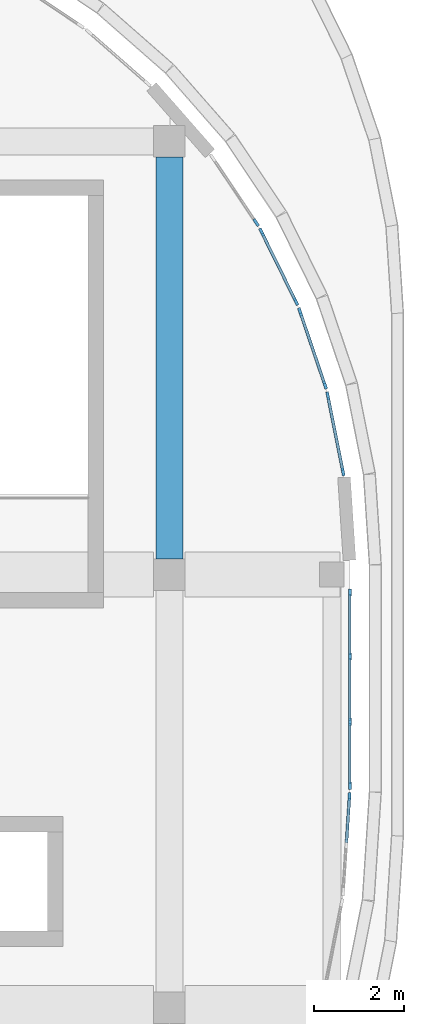
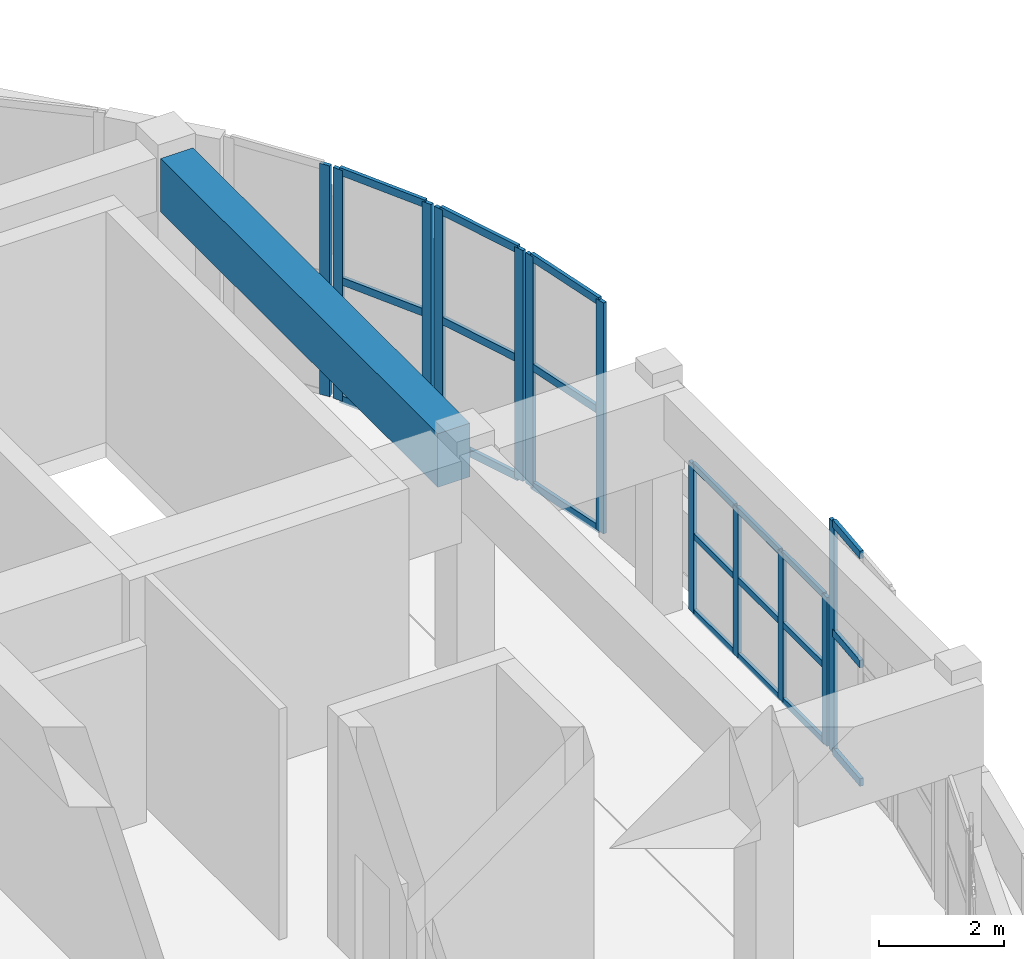
# One storey, part 9 of 23: 33 members, 1 beam, 6 elements without a shape of their own.
"""IFC4 building model written with IfcOpenShell, lengths in metres."""

from ifc_helpers import new_model, si_unit, direction, frame, origin, origin_2d, place, context, subcontext, project, spatial, rectangle, extrude, material, layer, layer_set, material_profile, profile_set, type_object, element, aggregate, save


model = new_model("IFC4")

# Units and contexts
model_context = context("Model", 3, precision=1e-05, world=origin(), true_north=direction((0.0, 1.0)))
body_context = subcontext(model_context, "Body", "Model", "MODEL_VIEW")
ifc_project = project(units=[si_unit("LENGTHUNIT", "METRE"), si_unit("AREAUNIT", "SQUARE_METRE"), si_unit("VOLUMEUNIT", "CUBIC_METRE"), si_unit("PLANEANGLEUNIT", "RADIAN"), si_unit("MASSUNIT", "GRAM", prefix="KILO")], contexts=[model_context])

# Site, building, storey
site_placement = place(None, origin())
site = spatial("IfcSite", under=ifc_project, at=site_placement, CompositionType="ELEMENT")
building_placement = place(site_placement, origin())
building = spatial("IfcBuilding", under=site, at=building_placement, Name="Cendralis Terraced Arcade", CompositionType="ELEMENT")
storey_placement = place(building_placement, frame((0.0, 0.0, 29.39990234375)))
storey = spatial("IfcBuildingStorey", under=building, at=storey_placement, Name="L06", CompositionType="ELEMENT", Elevation=29.39990234375)

# Beam
ifc_material_1 = material(Name="Concrete f'c 35 MPa", Category="concrete")
ifc_material_profile_1 = material_profile(ifc_material_1, rectangle(XDim=0.60009765625, YDim=1.050048828125, at=origin_2d()), Name="RC-BM-600x1050", Category="LoadBearing")
ifc_profile_set_1 = profile_set([ifc_material_profile_1], Name="Concrete f'c 35 MPa")
beam_type = type_object("IfcBeamType", Name="BM-600x1050", PredefinedType="JOIST", material=ifc_profile_set_1)
beam_placement = place(storey_placement, frame((57.60009765625, 29.14990234375, 4.0), z_axis=(0.0, 1.0, 0.0), x_axis=(-1.0, 0.0, 0.0)))
element("IfcBeam", 1, at=beam_placement, inside=storey, type_object=beam_type, Name="Reinforced Concrete Frame Beam BM-Y-RF-7-D_E", PredefinedType="JOIST", context=body_context, shape_type="SweptSolid", body=[
    extrude(rectangle(XDim=0.60009765625, YDim=1.050048828125, at=origin_2d()), origin(), (0.0, 0.0, 1.0), 8.900146484375),
])

# Curtain wall, member
ifc_material_2 = material(Name="Anodised aluminium EN AW-6063 T6", Category="aluminium")
ifc_layer_1 = layer(ifc_material_2, 0.179931640625, Name="CW-UNIT-A")
ifc_layer_set_1 = layer_set([ifc_layer_1], Name="Anodised aluminium EN AW-6063 T6")
curtain_wall_type_1 = type_object("IfcCurtainWallType", Name="CW-UNIT-A", PredefinedType="USERDEFINED", material=ifc_layer_set_1)
curtain_wall_1_placement = place(storey_placement, origin())
curtain_wall_1 = element("IfcCurtainWall", 2, at=curtain_wall_1_placement, inside=storey, type_object=curtain_wall_type_1, Name="Exterior Unitised Facade CW-L06-0465", ObjectType="UNITISED FACADE", PredefinedType="USERDEFINED")
ifc_material_profile_2 = material_profile(ifc_material_2, rectangle(XDim=0.06494140625, YDim=0.179931640625, at=origin_2d()), Name="ALU-MUL-65x180")
ifc_profile_set_2 = profile_set([ifc_material_profile_2], Name="Anodised aluminium EN AW-6063 T6")
member_type_1 = type_object("IfcMemberType", Name="CW-UNIT-A-MUL", PredefinedType="MULLION", material=ifc_profile_set_2)
member_1_placement = place(storey_placement, frame((59.5224609375, 36.601806640625, 0.0), z_axis=(0.0, 0.0, 1.0), x_axis=(0.831471454125, 0.555567476528, 0.0)))
member_1 = element("IfcMember", 3, at=member_1_placement, type_object=member_type_1, Name="CW-U1 mullion 2", PredefinedType="MULLION", context=body_context, shape_type="SweptSolid", body=[
    extrude(rectangle(XDim=0.06494140625, YDim=0.179931640625, at=origin_2d()), origin(), (0.0, 0.0, 1.0), 4.525146484375),
])
aggregate(curtain_wall_1, [member_1])

# Curtain wall, members
curtain_wall_2_placement = place(storey_placement, origin())
curtain_wall_2 = element("IfcCurtainWall", 4, at=curtain_wall_2_placement, inside=storey, type_object=curtain_wall_type_1, Name="Exterior Unitised Facade CW-L06-0466", ObjectType="UNITISED FACADE", PredefinedType="USERDEFINED")
member_2_placement = place(storey_placement, frame((59.64453125, 36.39013671875, 0.0), z_axis=(0.0, 0.0, 1.0), x_axis=(0.896871480419, 0.442291247495, 0.0)))
member_2 = element("IfcMember", 5, at=member_2_placement, type_object=member_type_1, Name="CW-U1 mullion 1", PredefinedType="MULLION", context=body_context, shape_type="SweptSolid", body=[
    extrude(rectangle(XDim=0.06494140625, YDim=0.179931640625, at=origin_2d()), origin(), (0.0, 0.0, 1.0), 4.525146484375),
])
member_3_placement = place(storey_placement, frame((60.404052734375, 34.85009765625, 0.0), z_axis=(0.0, 0.0, 1.0), x_axis=(0.896871480419, 0.442291247495, 0.0)))
member_3 = element("IfcMember", 6, at=member_3_placement, type_object=member_type_1, Name="CW-U1 mullion 2", PredefinedType="MULLION", context=body_context, shape_type="SweptSolid", body=[
    extrude(rectangle(XDim=0.06494140625, YDim=0.179931640625, at=origin_2d()), origin(), (0.0, 0.0, 1.0), 4.525146484375),
])

curtain_wall_3_placement = place(storey_placement, origin())
curtain_wall_3 = element("IfcCurtainWall", 7, at=curtain_wall_3_placement, inside=storey, type_object=curtain_wall_type_1, Name="Exterior Unitised Facade CW-L06-0467", ObjectType="UNITISED FACADE", PredefinedType="USERDEFINED")
member_4_placement = place(storey_placement, frame((60.49755859375, 34.624267578125, 0.0), z_axis=(0.0, 0.0, 1.0), x_axis=(0.946923811316, 0.321458077458, 0.0)))
member_4 = element("IfcMember", 8, at=member_4_placement, type_object=member_type_1, Name="CW-U1 mullion 1", PredefinedType="MULLION", context=body_context, shape_type="SweptSolid", body=[
    extrude(rectangle(XDim=0.06494140625, YDim=0.179931640625, at=origin_2d()), origin(), (0.0, 0.0, 1.0), 4.525146484375),
])
member_5_placement = place(storey_placement, frame((61.049560546875, 32.998291015625, 0.0), z_axis=(0.0, 0.0, 1.0), x_axis=(0.946923811316, 0.321458077458, 0.0)))
member_5 = element("IfcMember", 9, at=member_5_placement, type_object=member_type_1, Name="CW-U1 mullion 2", PredefinedType="MULLION", context=body_context, shape_type="SweptSolid", body=[
    extrude(rectangle(XDim=0.06494140625, YDim=0.179931640625, at=origin_2d()), origin(), (0.0, 0.0, 1.0), 4.525146484375),
])

curtain_wall_4_placement = place(storey_placement, origin())
curtain_wall_4 = element("IfcCurtainWall", 10, at=curtain_wall_4_placement, inside=storey, type_object=curtain_wall_type_1, Name="Exterior Unitised Facade CW-L06-0468", ObjectType="UNITISED FACADE", PredefinedType="USERDEFINED")
member_6_placement = place(storey_placement, frame((61.11279296875, 32.76220703125, 0.0), z_axis=(0.0, 0.0, 1.0), x_axis=(0.980791618721, 0.195058454434, 0.0)))
member_6 = element("IfcMember", 11, at=member_6_placement, type_object=member_type_1, Name="CW-U1 mullion 1", PredefinedType="MULLION", context=body_context, shape_type="SweptSolid", body=[
    extrude(rectangle(XDim=0.06494140625, YDim=0.179931640625, at=origin_2d()), origin(), (0.0, 0.0, 1.0), 4.525146484375),
])
member_7_placement = place(storey_placement, frame((61.44775390625, 31.078125, 0.0), z_axis=(0.0, 0.0, 1.0), x_axis=(0.980791618721, 0.195058454434, 0.0)))
member_7 = element("IfcMember", 12, at=member_7_placement, type_object=member_type_1, Name="CW-U1 mullion 2", PredefinedType="MULLION", context=body_context, shape_type="SweptSolid", body=[
    extrude(rectangle(XDim=0.06494140625, YDim=0.179931640625, at=origin_2d()), origin(), (0.0, 0.0, 1.0), 4.525146484375),
])

# Curtain wall, member
curtain_wall_5_placement = place(storey_placement, origin())
curtain_wall_5 = element("IfcCurtainWall", 13, at=curtain_wall_5_placement, inside=storey, type_object=curtain_wall_type_1, Name="Exterior Unitised Facade CW-L06-0470", ObjectType="UNITISED FACADE", PredefinedType="USERDEFINED")
member_8_placement = place(storey_placement, frame((61.592041015625, 23.877685546875, 0.0), z_axis=(0.0, 0.0, 1.0), x_axis=(0.99785960626, -0.065392707503, 0.0)))
member_8 = element("IfcMember", 14, at=member_8_placement, type_object=member_type_1, Name="CW-U1 mullion 1", PredefinedType="MULLION", context=body_context, shape_type="SweptSolid", body=[
    extrude(rectangle(XDim=0.06494140625, YDim=0.179931640625, at=origin_2d()), origin(), (0.0, 0.0, 1.0), 4.525146484375),
])

# Member
ifc_material_profile_3 = material_profile(ifc_material_2, rectangle(XDim=0.06494140625, YDim=0.14990234375, at=origin_2d()), Name="ALU-TRN-65x150")
ifc_profile_set_3 = profile_set([ifc_material_profile_3], Name="Anodised aluminium EN AW-6063 T6")
member_type_2 = type_object("IfcMemberType", Name="CW-UNIT-A-TRN", PredefinedType="USERDEFINED", material=ifc_profile_set_3)
member_9_placement = place(storey_placement, frame((59.658935546875, 36.361083984375, 0.03271484375), z_axis=(0.442300625853, -0.896866855431, 0.0), x_axis=(0.896866855431, 0.442300625853, 0.0)))
member_9 = element("IfcMember", 15, at=member_9_placement, type_object=member_type_2, Name="CW-U1 transom 1.1", ObjectType="TRANSOM", PredefinedType="USERDEFINED", context=body_context, shape_type="SweptSolid", body=[
    extrude(rectangle(XDim=0.06494140625, YDim=0.14990234375, at=origin_2d()), origin(), (0.0, 0.0, 1.0), 1.652099609375),
])

member_10_placement = place(storey_placement, frame((59.658935546875, 36.361083984375, 2.35302734375), z_axis=(0.442300625853, -0.896866855431, 0.0), x_axis=(0.896866855431, 0.442300625853, 0.0)))
member_10 = element("IfcMember", 16, at=member_10_placement, type_object=member_type_2, Name="CW-U1 transom 1.2", ObjectType="TRANSOM", PredefinedType="USERDEFINED", context=body_context, shape_type="SweptSolid", body=[
    extrude(rectangle(XDim=0.06494140625, YDim=0.14990234375, at=origin_2d()), origin(), (0.0, 0.0, 1.0), 1.652099609375),
])

member_11_placement = place(storey_placement, frame((59.658935546875, 36.361083984375, 4.49267578125), z_axis=(0.442300625853, -0.896866855431, 0.0), x_axis=(0.896866855431, 0.442300625853, 0.0)))
member_11 = element("IfcMember", 17, at=member_11_placement, type_object=member_type_2, Name="CW-U1 transom 1.3", ObjectType="TRANSOM", PredefinedType="USERDEFINED", context=body_context, shape_type="SweptSolid", body=[
    extrude(rectangle(XDim=0.06494140625, YDim=0.14990234375, at=origin_2d()), origin(), (0.0, 0.0, 1.0), 1.652099609375),
])

aggregate(curtain_wall_2, [member_2, member_3, member_9, member_10, member_11])

member_12_placement = place(storey_placement, frame((60.508056640625, 34.593505859375, 0.03271484375), z_axis=(0.321409930755, -0.94694015461, 0.0), x_axis=(0.94694015461, 0.321409930755, 0.0)))
member_12 = element("IfcMember", 18, at=member_12_placement, type_object=member_type_2, Name="CW-U1 transom 1.1", ObjectType="TRANSOM", PredefinedType="USERDEFINED", context=body_context, shape_type="SweptSolid", body=[
    extrude(rectangle(XDim=0.06494140625, YDim=0.14990234375, at=origin_2d()), origin(), (0.0, 0.0, 1.0), 1.652099609375),
])

member_13_placement = place(storey_placement, frame((60.508056640625, 34.593505859375, 2.35302734375), z_axis=(0.321409930755, -0.94694015461, 0.0), x_axis=(0.94694015461, 0.321409930755, 0.0)))
member_13 = element("IfcMember", 19, at=member_13_placement, type_object=member_type_2, Name="CW-U1 transom 1.2", ObjectType="TRANSOM", PredefinedType="USERDEFINED", context=body_context, shape_type="SweptSolid", body=[
    extrude(rectangle(XDim=0.06494140625, YDim=0.14990234375, at=origin_2d()), origin(), (0.0, 0.0, 1.0), 1.652099609375),
])

member_14_placement = place(storey_placement, frame((60.508056640625, 34.593505859375, 4.49267578125), z_axis=(0.321409930755, -0.94694015461, 0.0), x_axis=(0.94694015461, 0.321409930755, 0.0)))
member_14 = element("IfcMember", 20, at=member_14_placement, type_object=member_type_2, Name="CW-U1 transom 1.3", ObjectType="TRANSOM", PredefinedType="USERDEFINED", context=body_context, shape_type="SweptSolid", body=[
    extrude(rectangle(XDim=0.06494140625, YDim=0.14990234375, at=origin_2d()), origin(), (0.0, 0.0, 1.0), 1.652099609375),
])

aggregate(curtain_wall_3, [member_4, member_5, member_12, member_13, member_14])

member_15_placement = place(storey_placement, frame((61.119140625, 32.730224609375, 0.03271484375), z_axis=(0.195064538134, -0.980790408784, 0.0), x_axis=(0.980790408784, 0.195064538134, 0.0)))
member_15 = element("IfcMember", 21, at=member_15_placement, type_object=member_type_2, Name="CW-U1 transom 1.1", ObjectType="TRANSOM", PredefinedType="USERDEFINED", context=body_context, shape_type="SweptSolid", body=[
    extrude(rectangle(XDim=0.06494140625, YDim=0.14990234375, at=origin_2d()), origin(), (0.0, 0.0, 1.0), 1.652099609375),
])

member_16_placement = place(storey_placement, frame((61.119140625, 32.730224609375, 2.35302734375), z_axis=(0.195064538134, -0.980790408784, 0.0), x_axis=(0.980790408784, 0.195064538134, 0.0)))
member_16 = element("IfcMember", 22, at=member_16_placement, type_object=member_type_2, Name="CW-U1 transom 1.2", ObjectType="TRANSOM", PredefinedType="USERDEFINED", context=body_context, shape_type="SweptSolid", body=[
    extrude(rectangle(XDim=0.06494140625, YDim=0.14990234375, at=origin_2d()), origin(), (0.0, 0.0, 1.0), 1.652099609375),
])

member_17_placement = place(storey_placement, frame((61.119140625, 32.730224609375, 4.49267578125), z_axis=(0.195064538134, -0.980790408784, 0.0), x_axis=(0.980790408784, 0.195064538134, 0.0)))
member_17 = element("IfcMember", 23, at=member_17_placement, type_object=member_type_2, Name="CW-U1 transom 1.3", ObjectType="TRANSOM", PredefinedType="USERDEFINED", context=body_context, shape_type="SweptSolid", body=[
    extrude(rectangle(XDim=0.06494140625, YDim=0.14990234375, at=origin_2d()), origin(), (0.0, 0.0, 1.0), 1.652099609375),
])

aggregate(curtain_wall_4, [member_6, member_7, member_15, member_16, member_17])

member_18_placement = place(storey_placement, frame((61.58984375, 23.845458984375, 0.03271484375), z_axis=(-0.065356752321, -0.997861961859, 0.0), x_axis=(0.997861961859, -0.065356752321, 0.0)))
member_18 = element("IfcMember", 24, at=member_18_placement, type_object=member_type_2, Name="CW-U1 transom 1.1", ObjectType="TRANSOM", PredefinedType="USERDEFINED", context=body_context, shape_type="SweptSolid", body=[
    extrude(rectangle(XDim=0.06494140625, YDim=0.14990234375, at=origin_2d()), origin(), (0.0, 0.0, 1.0), 0.989990234375),
])

member_19_placement = place(storey_placement, frame((61.58984375, 23.845458984375, 2.35302734375), z_axis=(-0.065356752321, -0.997861961859, 0.0), x_axis=(0.997861961859, -0.065356752321, 0.0)))
member_19 = element("IfcMember", 25, at=member_19_placement, type_object=member_type_2, Name="CW-U1 transom 1.2", ObjectType="TRANSOM", PredefinedType="USERDEFINED", context=body_context, shape_type="SweptSolid", body=[
    extrude(rectangle(XDim=0.06494140625, YDim=0.14990234375, at=origin_2d()), origin(), (0.0, 0.0, 1.0), 0.989990234375),
])

member_20_placement = place(storey_placement, frame((61.58984375, 23.845458984375, 4.49267578125), z_axis=(-0.065356752321, -0.997861961859, 0.0), x_axis=(0.997861961859, -0.065356752321, 0.0)))
member_20 = element("IfcMember", 26, at=member_20_placement, type_object=member_type_2, Name="CW-U1 transom 1.3", ObjectType="TRANSOM", PredefinedType="USERDEFINED", context=body_context, shape_type="SweptSolid", body=[
    extrude(rectangle(XDim=0.06494140625, YDim=0.14990234375, at=origin_2d()), origin(), (0.0, 0.0, 1.0), 0.989990234375),
])

aggregate(curtain_wall_5, [member_8, member_18, member_19, member_20])

# Curtain wall, members
ifc_layer_2 = layer(ifc_material_2, 0.159912109375, Name="CW-UNIT-B")
ifc_layer_set_2 = layer_set([ifc_layer_2], Name="Anodised aluminium EN AW-6063 T6")
curtain_wall_type_2 = type_object("IfcCurtainWallType", Name="CW-UNIT-B", PredefinedType="USERDEFINED", material=ifc_layer_set_2)
curtain_wall_6_placement = place(storey_placement, origin())
curtain_wall_6 = element("IfcCurtainWall", 27, at=curtain_wall_6_placement, inside=storey, type_object=curtain_wall_type_2, Name="Exterior Unitised Facade CW-L06-0469", ObjectType="UNITISED FACADE", PredefinedType="USERDEFINED")
ifc_material_profile_4 = material_profile(ifc_material_2, rectangle(XDim=0.06494140625, YDim=0.159912109375, at=origin_2d()), Name="ALU-MUL-65x160")
ifc_profile_set_4 = profile_set([ifc_material_profile_4], Name="Anodised aluminium EN AW-6063 T6")
member_type_3 = type_object("IfcMemberType", Name="CW-UNIT-B-MUL", PredefinedType="MULLION", material=ifc_profile_set_4)
member_21_placement = place(storey_placement, frame((61.60009765625, 28.402587890625, 0.0), z_axis=(0.0, 0.0, 1.0), x_axis=(1.0, 0.0, 0.0)))
member_21 = element("IfcMember", 28, at=member_21_placement, type_object=member_type_3, Name="CW-U2 mullion 1", PredefinedType="MULLION", context=body_context, shape_type="SweptSolid", body=[
    extrude(rectangle(XDim=0.06494140625, YDim=0.159912109375, at=origin_2d()), origin(), (0.0, 0.0, 1.0), 2.9150390625),
])
member_22_placement = place(storey_placement, frame((61.60009765625, 26.986572265625, 0.0), z_axis=(0.0, 0.0, 1.0), x_axis=(1.0, 0.0, 0.0)))
member_22 = element("IfcMember", 29, at=member_22_placement, type_object=member_type_3, Name="CW-U2 mullion 2", PredefinedType="MULLION", context=body_context, shape_type="SweptSolid", body=[
    extrude(rectangle(XDim=0.06494140625, YDim=0.159912109375, at=origin_2d()), origin(), (0.0, 0.0, 1.0), 2.9150390625),
])
member_23_placement = place(storey_placement, frame((61.60009765625, 25.538330078125, 0.0), z_axis=(0.0, 0.0, 1.0), x_axis=(1.0, 0.0, 0.0)))
member_23 = element("IfcMember", 30, at=member_23_placement, type_object=member_type_3, Name="CW-U2 mullion 3", PredefinedType="MULLION", context=body_context, shape_type="SweptSolid", body=[
    extrude(rectangle(XDim=0.06494140625, YDim=0.159912109375, at=origin_2d()), origin(), (0.0, 0.0, 1.0), 2.9150390625),
])
member_24_placement = place(storey_placement, frame((61.60009765625, 24.12255859375, 0.0), z_axis=(0.0, 0.0, 1.0), x_axis=(1.0, 0.0, 0.0)))
member_24 = element("IfcMember", 31, at=member_24_placement, type_object=member_type_3, Name="CW-U2 mullion 4", PredefinedType="MULLION", context=body_context, shape_type="SweptSolid", body=[
    extrude(rectangle(XDim=0.06494140625, YDim=0.159912109375, at=origin_2d()), origin(), (0.0, 0.0, 1.0), 2.9150390625),
])
ifc_material_profile_5 = material_profile(ifc_material_2, rectangle(XDim=0.06005859375, YDim=0.1201171875, at=origin_2d()), Name="ALU-TRN-60x120")
ifc_profile_set_5 = profile_set([ifc_material_profile_5], Name="Anodised aluminium EN AW-6063 T6")
member_type_4 = type_object("IfcMemberType", Name="CW-UNIT-B-TRN", PredefinedType="USERDEFINED", material=ifc_profile_set_5)
member_25_placement = place(storey_placement, frame((61.60009765625, 28.3701171875, 0.030029296875), z_axis=(0.0, -1.0, 0.0), x_axis=(1.0, 0.0, 0.0)))
member_25 = element("IfcMember", 32, at=member_25_placement, type_object=member_type_4, Name="CW-U2 transom 1.1", ObjectType="TRANSOM", PredefinedType="USERDEFINED", context=body_context, shape_type="SweptSolid", body=[
    extrude(rectangle(XDim=0.06005859375, YDim=0.1201171875, at=origin_2d()), origin(), (0.0, 0.0, 1.0), 1.350830078125),
])
member_26_placement = place(storey_placement, frame((61.60009765625, 28.3701171875, 1.515869140625), z_axis=(0.0, -1.0, 0.0), x_axis=(1.0, 0.0, 0.0)))
member_26 = element("IfcMember", 33, at=member_26_placement, type_object=member_type_4, Name="CW-U2 transom 1.2", ObjectType="TRANSOM", PredefinedType="USERDEFINED", context=body_context, shape_type="SweptSolid", body=[
    extrude(rectangle(XDim=0.06005859375, YDim=0.1201171875, at=origin_2d()), origin(), (0.0, 0.0, 1.0), 1.350830078125),
])
member_27_placement = place(storey_placement, frame((61.60009765625, 28.3701171875, 2.885009765625), z_axis=(0.0, -1.0, 0.0), x_axis=(1.0, 0.0, 0.0)))
member_27 = element("IfcMember", 34, at=member_27_placement, type_object=member_type_4, Name="CW-U2 transom 1.3", ObjectType="TRANSOM", PredefinedType="USERDEFINED", context=body_context, shape_type="SweptSolid", body=[
    extrude(rectangle(XDim=0.06005859375, YDim=0.1201171875, at=origin_2d()), origin(), (0.0, 0.0, 1.0), 1.350830078125),
])
member_28_placement = place(storey_placement, frame((61.60009765625, 26.9541015625, 0.030029296875), z_axis=(0.0, -1.0, 0.0), x_axis=(1.0, 0.0, 0.0)))
member_28 = element("IfcMember", 35, at=member_28_placement, type_object=member_type_4, Name="CW-U2 transom 2.1", ObjectType="TRANSOM", PredefinedType="USERDEFINED", context=body_context, shape_type="SweptSolid", body=[
    extrude(rectangle(XDim=0.06005859375, YDim=0.1201171875, at=origin_2d()), origin(), (0.0, 0.0, 1.0), 1.38330078125),
])
member_29_placement = place(storey_placement, frame((61.60009765625, 26.9541015625, 1.515869140625), z_axis=(0.0, -1.0, 0.0), x_axis=(1.0, 0.0, 0.0)))
member_29 = element("IfcMember", 36, at=member_29_placement, type_object=member_type_4, Name="CW-U2 transom 2.2", ObjectType="TRANSOM", PredefinedType="USERDEFINED", context=body_context, shape_type="SweptSolid", body=[
    extrude(rectangle(XDim=0.06005859375, YDim=0.1201171875, at=origin_2d()), origin(), (0.0, 0.0, 1.0), 1.38330078125),
])
member_30_placement = place(storey_placement, frame((61.60009765625, 26.9541015625, 2.885009765625), z_axis=(0.0, -1.0, 0.0), x_axis=(1.0, 0.0, 0.0)))
member_30 = element("IfcMember", 37, at=member_30_placement, type_object=member_type_4, Name="CW-U2 transom 2.3", ObjectType="TRANSOM", PredefinedType="USERDEFINED", context=body_context, shape_type="SweptSolid", body=[
    extrude(rectangle(XDim=0.06005859375, YDim=0.1201171875, at=origin_2d()), origin(), (0.0, 0.0, 1.0), 1.38330078125),
])
member_31_placement = place(storey_placement, frame((61.60009765625, 25.505859375, 0.030029296875), z_axis=(0.0, -1.0, 0.0), x_axis=(1.0, 0.0, 0.0)))
member_31 = element("IfcMember", 38, at=member_31_placement, type_object=member_type_4, Name="CW-U2 transom 3.1", ObjectType="TRANSOM", PredefinedType="USERDEFINED", context=body_context, shape_type="SweptSolid", body=[
    extrude(rectangle(XDim=0.06005859375, YDim=0.1201171875, at=origin_2d()), origin(), (0.0, 0.0, 1.0), 1.350830078125),
])
member_32_placement = place(storey_placement, frame((61.60009765625, 25.505859375, 1.515869140625), z_axis=(0.0, -1.0, 0.0), x_axis=(1.0, 0.0, 0.0)))
member_32 = element("IfcMember", 39, at=member_32_placement, type_object=member_type_4, Name="CW-U2 transom 3.2", ObjectType="TRANSOM", PredefinedType="USERDEFINED", context=body_context, shape_type="SweptSolid", body=[
    extrude(rectangle(XDim=0.06005859375, YDim=0.1201171875, at=origin_2d()), origin(), (0.0, 0.0, 1.0), 1.350830078125),
])
member_33_placement = place(storey_placement, frame((61.60009765625, 25.505859375, 2.885009765625), z_axis=(0.0, -1.0, 0.0), x_axis=(1.0, 0.0, 0.0)))
member_33 = element("IfcMember", 40, at=member_33_placement, type_object=member_type_4, Name="CW-U2 transom 3.3", ObjectType="TRANSOM", PredefinedType="USERDEFINED", context=body_context, shape_type="SweptSolid", body=[
    extrude(rectangle(XDim=0.06005859375, YDim=0.1201171875, at=origin_2d()), origin(), (0.0, 0.0, 1.0), 1.350830078125),
])
aggregate(curtain_wall_6, [member_21, member_22, member_23, member_24, member_25, member_26, member_27, member_28, member_29, member_30, member_31, member_32, member_33])

save(model, "model.ifc")
